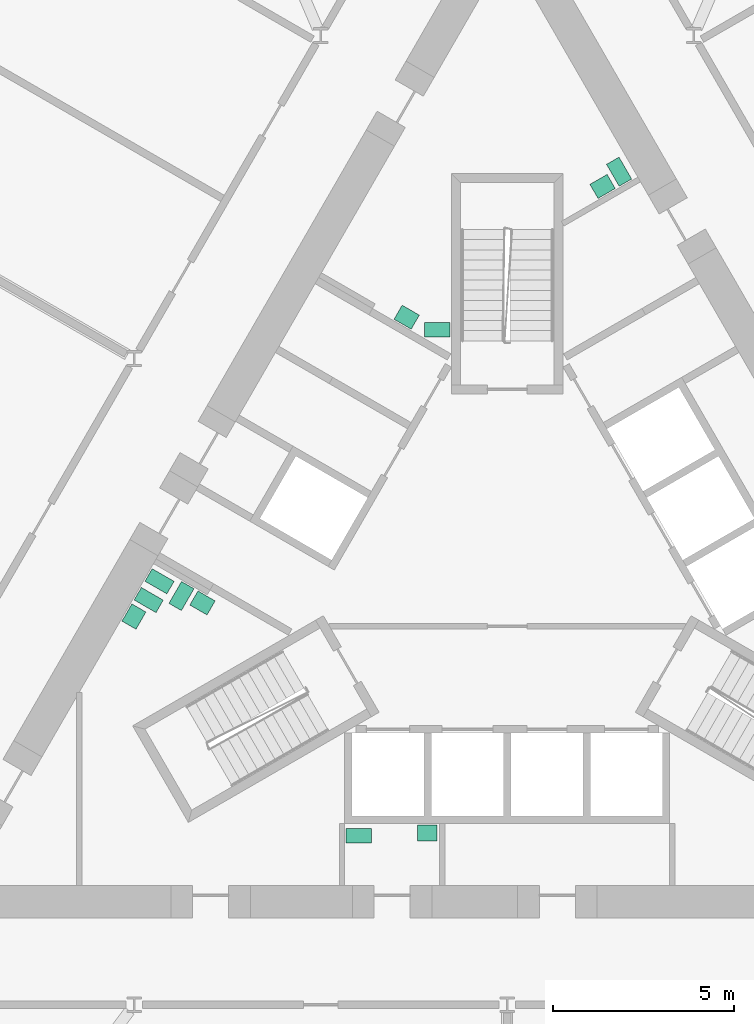
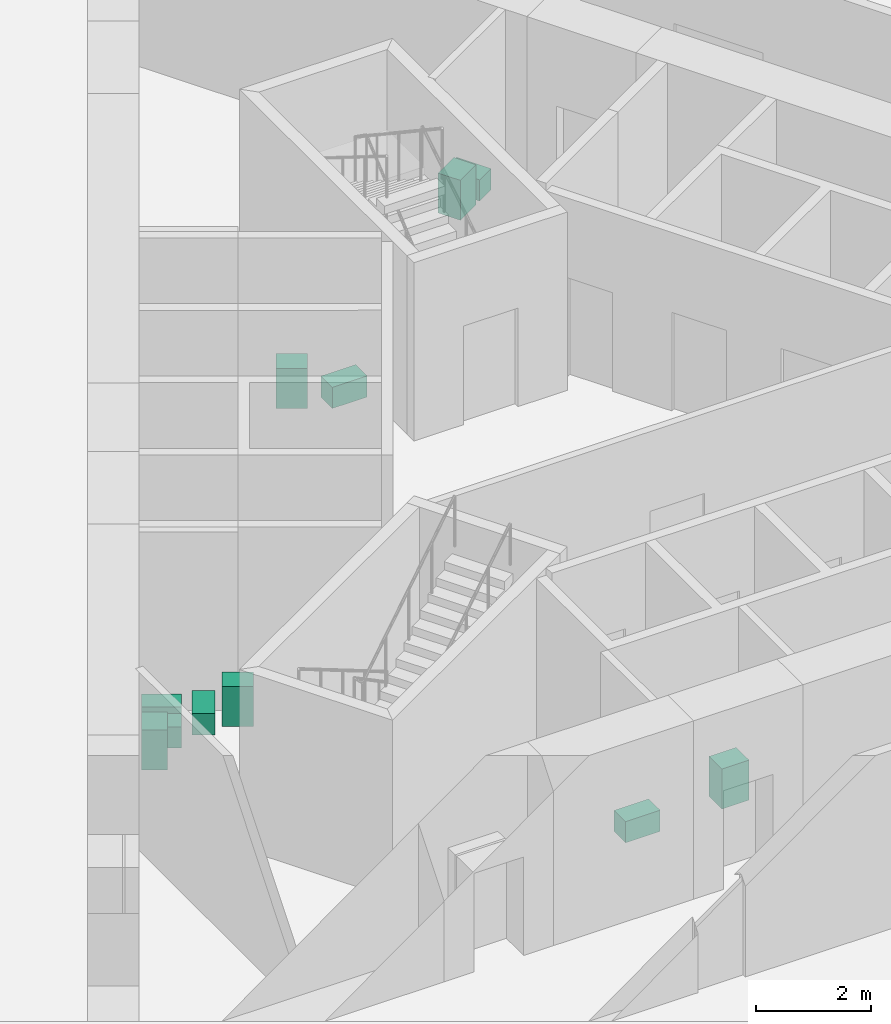
# One storey, part 20 of 21: 11 sanitary terminals.
"""IFC4 building model written with IfcOpenShell, lengths in metres."""

import ifcopenshell
import ifcopenshell.guid

model = None  # the IFC model being written
_history = None  # IfcOwnerHistory: only IFC2X3 demands one
_inside = {}  # id of a spatial element -> (the spatial element, [elements in it])
_under = {}  # id of a project, library or spatial element -> (it, [spatial elements below it])
_declared = {}  # id of a project -> (the project, [libraries it declares])
_typed = {}  # id of a type object -> (the type object, [elements of that type])
_made_of = {}  # id of a material, layer set ... -> (it, [elements and type objects made of it])


def new_model(schema):
    """Start an empty IFC model of exactly this schema.

    Asked for "IFC4X3", IfcOpenShell would pick the latest addendum, in which some entities
    have other attributes; the version numbers below select the first issue.
    IFC2X3 requires an IfcOwnerHistory on every rooted entity: one is made here for all.
    """
    global model, _history
    if schema == "IFC4X3":
        model = ifcopenshell.file(schema_version=(4, 3, 0, 0))
    else:
        model = ifcopenshell.file(schema=schema)
    _inside.clear()
    _under.clear()
    _declared.clear()
    _typed.clear()
    _made_of.clear()
    _history = None
    if model.schema == "IFC2X3":
        org = make("IfcOrganization", Name="unknown")
        user = make(
            "IfcPersonAndOrganization",
            ThePerson=make("IfcPerson", FamilyName="unknown"),
            TheOrganization=org,
        )
        app = make(
            "IfcApplication",
            ApplicationDeveloper=org,
            Version="unknown",
            ApplicationFullName="unknown",
            ApplicationIdentifier="unknown",
        )
        _history = make(
            "IfcOwnerHistory",
            OwningUser=user,
            OwningApplication=app,
            ChangeAction="ADDED",
            CreationDate=0,
        )
    return model


def make(cls, **values):
    """One entity of the class cls with the attributes given. An attribute that is None is left unset."""
    return model.create_entity(
        cls, **{name: value for name, value in values.items() if value is not None}
    )


def rooted(cls, **values):
    """An entity with a GlobalId (a new one), such as an element, a storey or a relation."""
    return make(cls, GlobalId=ifcopenshell.guid.new(), OwnerHistory=_history, **values)


def si_unit(unit_type, name, prefix=None):
    """IfcSIUnit, for example si_unit("LENGTHUNIT", "METRE", prefix="MILLI")."""
    return make("IfcSIUnit", UnitType=unit_type, Prefix=prefix, Name=name)


def assignment(units):
    """IfcUnitAssignment: the units of a project."""
    return None if units is None else make("IfcUnitAssignment", Units=units)


def point(xyz):
    """IfcCartesianPoint."""
    return None if xyz is None else make("IfcCartesianPoint", Coordinates=xyz)


def direction(xyz):
    """IfcDirection."""
    return None if xyz is None else make("IfcDirection", DirectionRatios=xyz)


def frame(location, z_axis=None, x_axis=None):
    """IfcAxis2Placement3D, a coordinate frame: its origin and axes. An axis left out is left unset."""
    return make(
        "IfcAxis2Placement3D",
        Location=point(location),
        Axis=direction(z_axis),
        RefDirection=direction(x_axis),
    )


def frame_2d(location, x_axis=None):
    """IfcAxis2Placement2D, a coordinate frame in the plane: its origin and x axis."""
    return make(
        "IfcAxis2Placement2D", Location=point(location), RefDirection=direction(x_axis)
    )


def origin():
    """The frame at (0, 0, 0) with its axes left unset."""
    return frame((0.0, 0.0, 0.0))


def origin_2d():
    """The frame at (0, 0) in the plane with its x axis left unset."""
    return frame_2d((0.0, 0.0))


def place(relative_to, where):
    """IfcLocalPlacement: puts the frame where relative to a parent placement (None: the world)."""
    return make(
        "IfcLocalPlacement", PlacementRelTo=relative_to, RelativePlacement=where
    )


def context(
    kind, dimensions, precision=None, world=None, true_north=None, identifier=None
):
    """IfcGeometricRepresentationContext, for example the 3D "Model" context."""
    return make(
        "IfcGeometricRepresentationContext",
        ContextIdentifier=identifier,
        ContextType=kind,
        CoordinateSpaceDimension=dimensions,
        Precision=precision,
        WorldCoordinateSystem=world,
        TrueNorth=true_north,
    )


def subcontext(parent, identifier, kind, view, scale=None):
    """IfcGeometricRepresentationSubContext, for example "Body" below "Model"."""
    return make(
        "IfcGeometricRepresentationSubContext",
        ContextIdentifier=identifier,
        ContextType=kind,
        ParentContext=parent,
        TargetScale=scale,
        TargetView=view,
    )


def project(units=None, contexts=None):
    """IfcProject with its units and contexts."""
    return rooted(
        "IfcProject",
        Name="project",
        RepresentationContexts=contexts,
        UnitsInContext=assignment(units),
    )


def spatial(cls, under=None, at=None, **own):
    """A site, building, storey or space (cls), placed at a placement, below another one or the project."""
    s = rooted(cls, ObjectPlacement=at, **own)
    if under is not None:
        _under.setdefault(under.id(), (under, []))[1].append(s)
    return s


def profile(cls, at=None, kind="AREA", **sizes):
    """A parametric profile (cls). Its sizes go by their IFC names, for example OverallWidth=200.0."""
    return make(cls, ProfileType=kind, Position=at, **sizes)


def rectangle(**sizes):
    """IfcRectangleProfileDef."""
    return profile("IfcRectangleProfileDef", **sizes)


def extrude(swept, where, along, depth):
    """IfcExtrudedAreaSolid: the profile swept, set in the frame where, extruded along a direction by depth."""
    return make(
        "IfcExtrudedAreaSolid",
        SweptArea=swept,
        Position=where,
        ExtrudedDirection=direction(along),
        Depth=depth,
    )


def shape(context_of_items, identifier, shape_type, items):
    """IfcShapeRepresentation: the items that make up one representation, for example the "Body"."""
    return make(
        "IfcShapeRepresentation",
        ContextOfItems=context_of_items,
        RepresentationIdentifier=identifier,
        RepresentationType=shape_type,
        Items=items,
    )


def material(Name=None, Category=None):
    """IfcMaterial."""
    return make("IfcMaterial", Name=Name, Category=Category)


def made_of(thing, what):
    """Note that an element or type object is made of a material, layer set ...; save() writes the relation."""
    if what is not None:
        _made_of.setdefault(what.id(), (what, []))[1].append(thing)
    return thing


def type_object(cls, material=None, **own):
    """A type object (cls), such as IfcWallType, which elements share."""
    return made_of(rooted(cls, **own), material)


def element(
    cls,
    number,
    at=None,
    inside=None,
    cuts=None,
    type_object=None,
    material=None,
    context=None,
    identifier="Body",
    shape_type=None,
    held_by="IfcProductDefinitionShape",
    body=None,
    shapes=None,
    **own,
):
    """One element of the class cls, such as IfcWall. Its Tag is "e" and its number.

    at: its placement. inside: the storey or other place that contains it. cuts: it is an
    opening in that element (IfcRelVoidsElement). A single representation is given by context,
    identifier, shape_type and body (its items); several are given by shapes. held_by: the class
    of the entity that holds the representations. save() writes the other relations.
    """
    e = rooted(cls, Tag="e%d" % number, ObjectPlacement=at, **own)
    if body is not None:
        shapes = [shape(context, identifier, shape_type, body)]
    if shapes is not None:
        e.Representation = make(held_by, Representations=shapes)
    if inside is not None:
        _inside.setdefault(inside.id(), (inside, []))[1].append(e)
    if cuts is not None:
        rooted(
            "IfcRelVoidsElement", RelatingBuildingElement=cuts, RelatedOpeningElement=e
        )
    if type_object is not None:
        _typed.setdefault(type_object.id(), (type_object, []))[1].append(e)
    return made_of(e, material)


def aggregate(whole, parts):
    """IfcRelAggregates: a whole, such as a stair, and the parts it consists of."""
    return rooted("IfcRelAggregates", RelatingObject=whole, RelatedObjects=parts)


def save(model, path):
    """Write the relations noted so far, then the file.

    IfcRelAggregates (storeys below a building ...), IfcRelContainedInSpatialStructure (elements
    in a storey), IfcRelDefinesByType, IfcRelAssociatesMaterial and IfcRelDeclares: one each for
    every whole, place, type object, material and project.
    """
    for whole, parts in _under.values():
        aggregate(whole, parts)
    for where, things in _inside.values():
        rooted(
            "IfcRelContainedInSpatialStructure",
            RelatedElements=things,
            RelatingStructure=where,
        )
    for kind, things in _typed.values():
        rooted("IfcRelDefinesByType", RelatedObjects=things, RelatingType=kind)
    for what, things in _made_of.values():
        rooted("IfcRelAssociatesMaterial", RelatedObjects=things, RelatingMaterial=what)
    for by, libraries in _declared.values():
        rooted("IfcRelDeclares", RelatingContext=by, RelatedDefinitions=libraries)
    model.write(path)


model = new_model("IFC4")

# Units and contexts
model_context = context("Model", 3, precision=1e-05, world=origin(), true_north=direction((0.0, 1.0)))
body_context = subcontext(model_context, "Body", "Model", "MODEL_VIEW")
ifc_project = project(units=[si_unit("LENGTHUNIT", "METRE"), si_unit("AREAUNIT", "SQUARE_METRE"), si_unit("VOLUMEUNIT", "CUBIC_METRE"), si_unit("PLANEANGLEUNIT", "RADIAN"), si_unit("MASSUNIT", "GRAM", prefix="KILO")], contexts=[model_context])

# Site, building, storey
site_placement = place(None, origin())
site = spatial("IfcSite", under=ifc_project, at=site_placement, CompositionType="ELEMENT")
building_placement = place(site_placement, origin())
building = spatial("IfcBuilding", under=site, at=building_placement, Name="Cormorant Prow Tower", CompositionType="ELEMENT")
storey_placement = place(building_placement, frame((0.0, 0.0, 137.39990234375)))
storey = spatial("IfcBuildingStorey", under=building, at=storey_placement, Name="L29", CompositionType="ELEMENT", Elevation=137.39990234375)

# Sanitary terminals
ifc_material_1 = material(Name="Vitreous china")
sanitary_terminal_type_1 = type_object("IfcSanitaryTerminalType", Name="Wash basin 550x450", PredefinedType="WASHHANDBASIN", material=ifc_material_1)
for number, where, z_axis, x_axis, name in (
    (1, (-8.438232421875, -0.803466796875, 0.0), (0.0, 0.0, 1.0), (-0.866034130299, 0.499984884929, 0.0), "Wash basin"),
    (2, (-10.336181640625, -1.18017578125, 0.0), (0.0, 0.0, 1.0), (-0.499984884929, -0.866034130299, 0.0), "Wash basin"),
    (3, (-2.7841796875, 7.109619140625, 0.0), (0.0, 0.0, 1.0), (0.866034130299, -0.499984884929, 0.0), "Wash basin"),
    (4, (2.640625, 10.730224609375, 0.0), (0.0, 0.0, 1.0), (0.866025403784, 0.5, 0.0), "Wash basin"),
    (5, (-2.215087890625, -7.1708984375, 0.0), (0.0, 0.0, 1.0), (-1.0, 0.0, 0.0), "Wash basin"),
):
    element("IfcSanitaryTerminal", number, at=place(storey_placement, frame(where, z_axis=z_axis, x_axis=x_axis)), inside=storey, type_object=sanitary_terminal_type_1, Name=name, PredefinedType="WASHHANDBASIN", context=body_context, shape_type="SweptSolid", body=[
        extrude(rectangle(XDim=0.550048828125, YDim=0.449951171875, at=origin_2d()), origin(), (0.0, 0.0, 1.0), 0.85009765625),
    ])
ifc_material_2 = material(Name="Vitreous china")
sanitary_terminal_type_2 = type_object("IfcSanitaryTerminalType", Name="Water closet 400x700", PredefinedType="WCSEAT", material=ifc_material_2)
for number, where, z_axis, x_axis, name in (
    (6, (-9.627685546875, -0.203369140625, 0.0), (0.0, 0.0, 1.0), (-0.499984884929, -0.866034130299, 0.0), "Water closet"),
    (7, (-9.927734375, -0.722900390625, 0.0), (0.0, 0.0, 1.0), (-0.499984884929, -0.866034130299, 0.0), "Water closet"),
    (8, (-9.0205078125, -0.61181640625, 0.0), (0.0, 0.0, 1.0), (-0.866034130299, 0.499984884929, 0.0), "Water closet"),
    (9, (-1.93408203125, 6.7568359375, 0.0), (0.0, 0.0, 1.0), (0.0, 1.0, 0.0), "Water closet"),
    (10, (3.09765625, 11.138427734375, 0.0), (0.0, 0.0, 1.0), (0.866025403784, 0.5, 0.0), "Water closet"),
    (11, (-4.110107421875, -7.24609375, 0.0), (0.0, 0.0, 1.0), (0.0, -1.0, 0.0), "Water closet"),
):
    element("IfcSanitaryTerminal", number, at=place(storey_placement, frame(where, z_axis=z_axis, x_axis=x_axis)), inside=storey, type_object=sanitary_terminal_type_2, Name=name, PredefinedType="WCSEAT", context=body_context, shape_type="SweptSolid", body=[
        extrude(rectangle(XDim=0.39990234375, YDim=0.699951171875, at=origin_2d()), origin(), (0.0, 0.0, 1.0), 0.449951171875),
    ])

save(model, "model.ifc")
